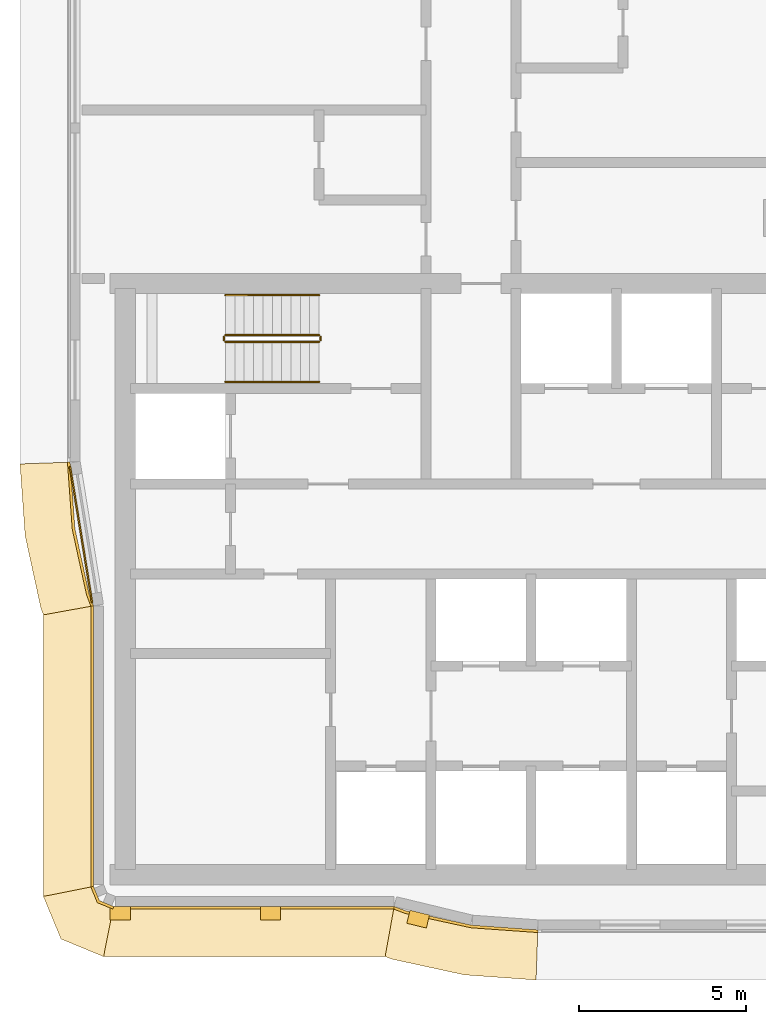
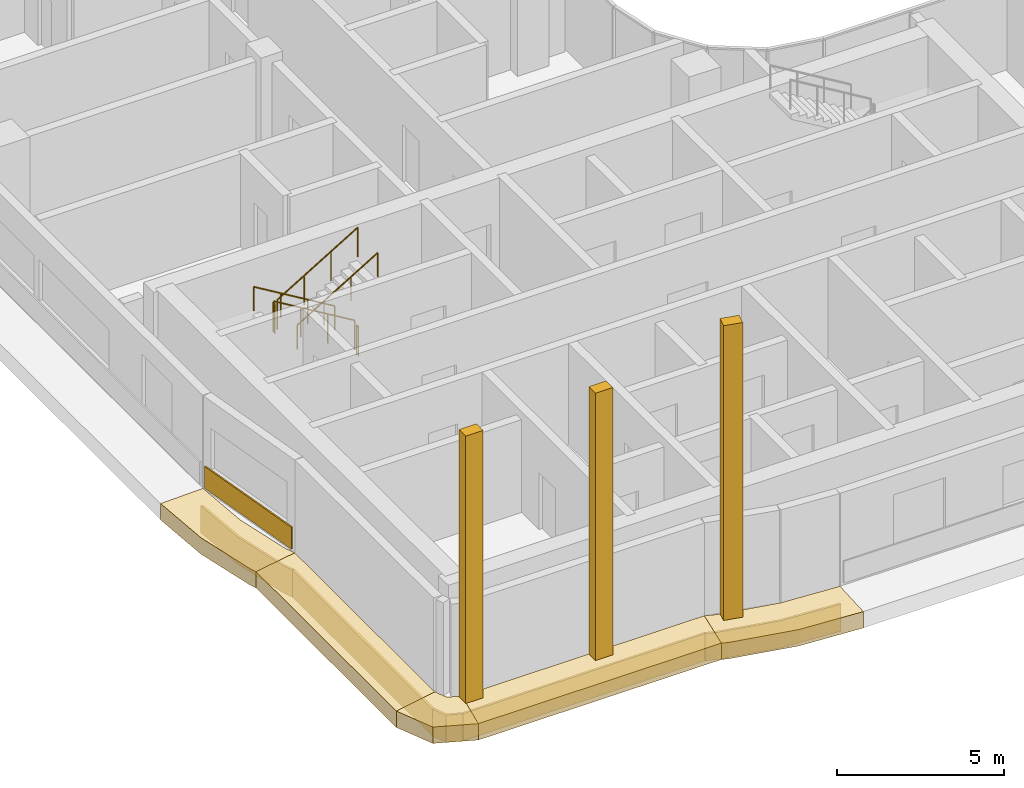
# One storey, part 17 of 24: 14 coverings, 6 railings.
"""IFC4 building model written with IfcOpenShell, lengths in metres."""

from ifc_helpers import new_model, si_unit, direction, frame, origin, origin_2d, place, context, subcontext, project, spatial, polyline, rectangle, circle, outline, extrude, material, layer, layer_set, type_object, element, save


model = new_model("IFC4")

# Units and contexts
model_context = context("Model", 3, precision=1e-05, world=origin(), true_north=direction((0.0, 1.0)))
body_context = subcontext(model_context, "Body", "Model", "MODEL_VIEW")
ifc_project = project(units=[si_unit("LENGTHUNIT", "METRE"), si_unit("AREAUNIT", "SQUARE_METRE"), si_unit("VOLUMEUNIT", "CUBIC_METRE"), si_unit("PLANEANGLEUNIT", "RADIAN"), si_unit("MASSUNIT", "GRAM", prefix="KILO")], contexts=[model_context])

# Site, building, storey
site_placement = place(None, origin())
site = spatial("IfcSite", under=ifc_project, at=site_placement, CompositionType="ELEMENT")
building_placement = place(site_placement, origin())
building = spatial("IfcBuilding", under=site, at=building_placement, Name="Ogive Portal Towers", CompositionType="ELEMENT")
storey_placement = place(building_placement, frame((0.0, 0.0, 142.199951171875)))
storey = spatial("IfcBuildingStorey", under=building, at=storey_placement, Name="L34", CompositionType="ELEMENT", Elevation=142.199951171875)

# Railings
ifc_material_1 = material(Name="Stainless steel balustrade", Category="steel")
railing_type_1 = type_object("IfcRailingType", Name="INT-GUARD", PredefinedType="GUARDRAIL", material=ifc_material_1)
railing_1_placement = place(storey_placement, frame((37.449951171875, 37.800048828125, 0.168212890625)))
element("IfcRailing", 1, at=railing_1_placement, inside=storey, type_object=railing_type_1, Name="L34 ST-A1 stair guard 1", PredefinedType="GUARDRAIL", context=body_context, shape_type="SweptSolid", body=[
    extrude(circle(Radius=0.02392578125, at=origin_2d()), frame((0.0, 0.0, 1.076171875), z_axis=(-0.857242210791, 0.0, 0.514913383045), x_axis=(0.0, -1.0, 0.0)), (0.0, 0.0, 1.0), 3.266357421875),
    extrude(circle(Radius=0.02099609375, at=origin_2d()), origin(), (0.0, 0.0, 1.0), 1.052001953125),
    extrude(circle(Radius=0.02099609375, at=origin_2d()), frame((-0.933349609375, 0.0, 0.560546875)), (0.0, 0.0, 1.0), 1.052001953125),
    extrude(circle(Radius=0.02099609375, at=origin_2d()), frame((-1.86669921875, 0.0, 1.121337890625)), (0.0, 0.0, 1.0), 1.052001953125),
    extrude(circle(Radius=0.02099609375, at=origin_2d()), frame((-2.800048828125, 0.0, 1.681884765625)), (0.0, 0.0, 1.0), 1.052001953125),
])
railing_2_placement = place(storey_placement, frame((34.60009765625, 37.75, 1.85009765625)))
element("IfcRailing", 2, at=railing_2_placement, inside=storey, type_object=railing_type_1, Name="L34 ST-A1 stair guard 2", PredefinedType="GUARDRAIL", context=body_context, shape_type="SweptSolid", body=[
    extrude(circle(Radius=0.02392578125, at=origin_2d()), frame((0.0, 0.0, 1.076171875), z_axis=(0.0, -1.0, 0.0), x_axis=(1.0, 0.0, 0.0)), (0.0, 0.0, 1.0), 0.10009765625),
    extrude(circle(Radius=0.02099609375, at=origin_2d()), origin(), (0.0, 0.0, 1.0), 1.052001953125),
    extrude(circle(Radius=0.02099609375, at=origin_2d()), frame((0.0, -0.10009765625, 0.0)), (0.0, 0.0, 1.0), 1.052001953125),
])
railing_3_placement = place(storey_placement, frame((34.64990234375, 37.60009765625, 2.018310546875)))
element("IfcRailing", 3, at=railing_3_placement, inside=storey, type_object=railing_type_1, Name="L34 ST-A1 stair guard 3", PredefinedType="GUARDRAIL", context=body_context, shape_type="SweptSolid", body=[
    extrude(circle(Radius=0.02392578125, at=origin_2d()), frame((0.0, 0.0, 1.076171875), z_axis=(0.857275202839, 0.0, 0.514858452973), x_axis=(0.0, 1.0, 0.0)), (0.0, 0.0, 1.0), 3.26611328125),
    extrude(circle(Radius=0.02099609375, at=origin_2d()), origin(), (0.0, 0.0, 1.0), 1.052001953125),
    extrude(circle(Radius=0.02099609375, at=origin_2d()), frame((0.933349609375, 0.0, 0.560546875)), (0.0, 0.0, 1.0), 1.052001953125),
    extrude(circle(Radius=0.02099609375, at=origin_2d()), frame((1.86669921875, 0.0, 1.12109375)), (0.0, 0.0, 1.0), 1.052001953125),
    extrude(circle(Radius=0.02099609375, at=origin_2d()), frame((2.800048828125, 0.0, 1.681640625)), (0.0, 0.0, 1.0), 1.052001953125),
])
railing_4_placement = place(storey_placement, frame((37.5, 37.75, 0.0)))
element("IfcRailing", 4, at=railing_4_placement, inside=storey, type_object=railing_type_1, Name="L34 ST-A1 stair guard 4", PredefinedType="GUARDRAIL", context=body_context, shape_type="SweptSolid", body=[
    extrude(circle(Radius=0.02392578125, at=origin_2d()), frame((0.0, 0.0, 1.076171875), z_axis=(0.0, -1.0, 0.0), x_axis=(1.0, 0.0, 0.0)), (0.0, 0.0, 1.0), 0.10009765625),
    extrude(circle(Radius=0.02099609375, at=origin_2d()), origin(), (0.0, 0.0, 1.0), 1.052001953125),
    extrude(circle(Radius=0.02099609375, at=origin_2d()), frame((0.0, -0.10009765625, 0.0)), (0.0, 0.0, 1.0), 1.052001953125),
])
ifc_material_2 = material(Name="Stainless steel handrail", Category="steel")
railing_type_2 = type_object("IfcRailingType", Name="INT-HANDRAIL", PredefinedType="HANDRAIL", material=ifc_material_2)
railing_5_placement = place(storey_placement, frame((37.449951171875, 39.0, 0.168212890625)))
element("IfcRailing", 5, at=railing_5_placement, inside=storey, type_object=railing_type_2, Name="L34 ST-A1 stair handrail 1", PredefinedType="HANDRAIL", context=body_context, shape_type="SweptSolid", body=[
    extrude(circle(Radius=0.02392578125, at=origin_2d()), frame((0.0, 0.0, 0.8759765625), z_axis=(-0.857242210791, 0.0, 0.514913383045), x_axis=(0.0, -1.0, 0.0)), (0.0, 0.0, 1.0), 3.266357421875),
    extrude(circle(Radius=0.02099609375, at=origin_2d()), origin(), (0.0, 0.0, 1.0), 0.851806640625),
    extrude(circle(Radius=0.02099609375, at=origin_2d()), frame((-0.933349609375, 0.0, 0.560546875)), (0.0, 0.0, 1.0), 0.851806640625),
    extrude(circle(Radius=0.02099609375, at=origin_2d()), frame((-1.86669921875, 0.0, 1.121337890625)), (0.0, 0.0, 1.0), 0.851806640625),
    extrude(circle(Radius=0.02099609375, at=origin_2d()), frame((-2.800048828125, 0.0, 1.681884765625)), (0.0, 0.0, 1.0), 0.851806640625),
])
railing_6_placement = place(storey_placement, frame((34.64990234375, 36.39990234375, 2.018310546875)))
element("IfcRailing", 6, at=railing_6_placement, inside=storey, type_object=railing_type_2, Name="L34 ST-A1 stair handrail 2", PredefinedType="HANDRAIL", context=body_context, shape_type="SweptSolid", body=[
    extrude(circle(Radius=0.02392578125, at=origin_2d()), frame((0.0, 0.0, 0.8759765625), z_axis=(0.857275202839, 0.0, 0.514858452973), x_axis=(0.0, 1.0, 0.0)), (0.0, 0.0, 1.0), 3.26611328125),
    extrude(circle(Radius=0.02099609375, at=origin_2d()), origin(), (0.0, 0.0, 1.0), 0.851806640625),
    extrude(circle(Radius=0.02099609375, at=origin_2d()), frame((0.933349609375, 0.0, 0.560546875)), (0.0, 0.0, 1.0), 0.851806640625),
    extrude(circle(Radius=0.02099609375, at=origin_2d()), frame((1.86669921875, 0.0, 1.12109375)), (0.0, 0.0, 1.0), 0.851806640625),
    extrude(circle(Radius=0.02099609375, at=origin_2d()), frame((2.800048828125, 0.0, 1.681640625)), (0.0, 0.0, 1.0), 0.851806640625),
])

# Coverings
ifc_material_3 = material(Name="Limestone cladding on lightweight block wall", Category="masonry")
ifc_layer_1 = layer(ifc_material_3, 0.050048828125)
ifc_layer_set_1 = layer_set([ifc_layer_1], Name="SCREEN PERFORATED STONE")
covering_type_1 = type_object("IfcCoveringType", Name="SCREEN PERFORATED STONE", PredefinedType="CLADDING", material=ifc_layer_set_1)
covering_1_placement = place(storey_placement, frame((30.327392578125, 31.833740234375, 0.10009765625), z_axis=(0.0, 0.0, 1.0), x_axis=(0.160654533408, -0.987010699484, 0.0)))
element("IfcCovering", 7, at=covering_1_placement, inside=storey, type_object=covering_type_1, Name="Tracery screen", PredefinedType="CLADDING", context=body_context, shape_type="SweptSolid", body=[
    extrude(rectangle(XDim=4.1328125, YDim=0.050048828125, at=origin_2d()), origin(), (0.0, 0.0, 1.0), 0.800048828125),
])
ifc_layer_2 = layer(ifc_material_3, 0.39990234375)
ifc_layer_set_2 = layer_set([ifc_layer_2], Name="SPINE PIER STONE")
covering_type_2 = type_object("IfcCoveringType", Name="SPINE PIER STONE", PredefinedType="CLADDING", material=ifc_layer_set_2)
for number, where, z_axis, x_axis, name in (
    (8, (31.5, 20.5, 0.0), (0.0, 0.0, 1.0), (1.0, 0.0, 0.0), "SPINE PIER"),
    (9, (36.0, 20.5, 0.0), (0.0, 0.0, 1.0), (1.0, 0.0, 0.0), "SPINE PIER"),
):
    element("IfcCovering", number, at=place(storey_placement, frame(where, z_axis=z_axis, x_axis=x_axis)), inside=storey, type_object=covering_type_2, Name=name, PredefinedType="CLADDING", context=body_context, shape_type="SweptSolid", body=[
        extrude(rectangle(XDim=0.60009765625, YDim=0.39990234375, at=origin_2d()), origin(), (0.0, 0.0, 1.0), 9.800048828125),
    ])
covering_2_placement = place(storey_placement, frame((40.417724609375, 20.32080078125, 0.0), z_axis=(0.0, 0.0, 1.0), x_axis=(0.972047938929, -0.234782461918, 0.0)))
element("IfcCovering", 10, at=covering_2_placement, inside=storey, type_object=covering_type_2, Name="SPINE PIER", PredefinedType="CLADDING", context=body_context, shape_type="SweptSolid", body=[
    extrude(rectangle(XDim=0.60009765625, YDim=0.39990234375, at=origin_2d()), origin(), (0.0, 0.0, 1.0), 10.800048828125),
])
ifc_layer_3 = layer(ifc_material_3, 0.080078125)
ifc_layer_set_3 = layer_set([ifc_layer_3], Name="STONE SPANDREL 80")
covering_type_3 = type_object("IfcCoveringType", Name="STONE SPANDREL 80", PredefinedType="CLADDING", material=ifc_layer_set_3)
covering_3_placement = place(storey_placement, frame((0.0, 0.0, -1.599853515625)))
element("IfcCovering", 11, at=covering_3_placement, inside=storey, type_object=covering_type_3, Name="Stone spandrel A1-F01", PredefinedType="CLADDING", context=body_context, shape_type="SweptSolid", body=[
    extrude(outline(polyline([(30.699951171875, 29.699462890625), (30.699951171875, 21.300048828125), (30.6201171875, 21.2841796875), (30.6201171875, 29.68505859375), (30.699951171875, 29.699462890625)])), origin(), (0.0, 0.0, 1.0), 1.0),
])
covering_4_placement = place(storey_placement, frame((0.0, 0.0, -1.599853515625)))
element("IfcCovering", 12, at=covering_4_placement, inside=storey, type_object=covering_type_3, Name="Stone spandrel A1-F02", PredefinedType="CLADDING", context=body_context, shape_type="SweptSolid", body=[
    extrude(outline(polyline([(30.699951171875, 21.300048828125), (30.875732421875, 20.875732421875), (31.300048828125, 20.699951171875), (31.2841796875, 20.6201171875), (30.814453125, 20.814453125), (30.6201171875, 21.2841796875), (30.699951171875, 21.300048828125)])), origin(), (0.0, 0.0, 1.0), 1.0),
])
covering_5_placement = place(storey_placement, frame((0.0, 0.0, -1.599853515625)))
element("IfcCovering", 13, at=covering_5_placement, inside=storey, type_object=covering_type_3, Name="Stone spandrel A1-F03", PredefinedType="CLADDING", context=body_context, shape_type="SweptSolid", body=[
    extrude(outline(polyline([(31.300048828125, 20.699951171875), (39.699462890625, 20.699951171875), (39.68505859375, 20.6201171875), (31.2841796875, 20.6201171875), (31.300048828125, 20.699951171875)])), origin(), (0.0, 0.0, 1.0), 1.0),
])
covering_6_placement = place(storey_placement, frame((0.0, 0.0, -1.599853515625)))
element("IfcCovering", 14, at=covering_6_placement, inside=storey, type_object=covering_type_3, Name="Stone spandrel A1-F04", PredefinedType="CLADDING", context=body_context, shape_type="SweptSolid", body=[
    extrude(outline(polyline([(39.699462890625, 20.699951171875), (40.0556640625, 20.567138671875), (42.007568359375, 20.142578125), (44.0, 20.0), (43.9970703125, 19.919921875), (41.99609375, 20.063232421875), (40.033203125, 20.490234375), (39.68505859375, 20.6201171875), (39.699462890625, 20.699951171875)])), origin(), (0.0, 0.0, 1.0), 1.0),
])
covering_7_placement = place(storey_placement, frame((0.0, 0.0, -1.599853515625)))
element("IfcCovering", 15, at=covering_7_placement, inside=storey, type_object=covering_type_3, Name="Stone spandrel A1-F14", PredefinedType="CLADDING", context=body_context, shape_type="SweptSolid", body=[
    extrude(outline(polyline([(30.0, 34.0), (30.142578125, 32.007568359375), (30.567138671875, 30.0556640625), (30.699951171875, 29.699462890625), (30.6201171875, 29.68505859375), (30.490234375, 30.033203125), (30.063232421875, 31.99609375), (29.919921875, 33.9970703125), (30.0, 34.0)])), origin(), (0.0, 0.0, 1.0), 1.0),
])
ifc_layer_4 = layer(ifc_material_3, 0.60009765625)
ifc_layer_set_4 = layer_set([ifc_layer_4], Name="SUNSHADE LIP 600")
covering_type_4 = type_object("IfcCoveringType", Name="SUNSHADE LIP 600", PredefinedType="CLADDING", material=ifc_layer_set_4)
covering_8_placement = place(storey_placement, frame((0.0, 0.0, -0.599853515625)))
element("IfcCovering", 16, at=covering_8_placement, inside=storey, type_object=covering_type_4, Name="Sunshade lip A1-F01", PredefinedType="CLADDING", context=body_context, shape_type="SweptSolid", body=[
    extrude(outline(polyline([(30.699951171875, 29.699462890625), (30.699951171875, 21.300048828125), (29.199951171875, 21.001708984375), (29.199951171875, 29.4287109375), (30.699951171875, 29.699462890625)])), origin(), (0.0, 0.0, 1.0), 0.599853515625),
])
covering_9_placement = place(storey_placement, frame((0.0, 0.0, -0.599853515625)))
element("IfcCovering", 17, at=covering_9_placement, inside=storey, type_object=covering_type_4, Name="Sunshade lip A1-F02", PredefinedType="CLADDING", context=body_context, shape_type="SweptSolid", body=[
    extrude(outline(polyline([(30.699951171875, 21.300048828125), (30.875732421875, 20.875732421875), (31.300048828125, 20.699951171875), (31.001708984375, 19.199951171875), (29.727783203125, 19.727783203125), (29.199951171875, 21.001708984375), (30.699951171875, 21.300048828125)])), origin(), (0.0, 0.0, 1.0), 0.599853515625),
])
covering_10_placement = place(storey_placement, frame((0.0, 0.0, -0.599853515625)))
element("IfcCovering", 18, at=covering_10_placement, inside=storey, type_object=covering_type_4, Name="Sunshade lip A1-F03", PredefinedType="CLADDING", context=body_context, shape_type="SweptSolid", body=[
    extrude(outline(polyline([(31.300048828125, 20.699951171875), (39.699462890625, 20.699951171875), (39.4287109375, 19.199951171875), (31.001708984375, 19.199951171875), (31.300048828125, 20.699951171875)])), origin(), (0.0, 0.0, 1.0), 0.599853515625),
])
covering_11_placement = place(storey_placement, frame((0.0, 0.0, -0.599853515625)))
element("IfcCovering", 19, at=covering_11_placement, inside=storey, type_object=covering_type_4, Name="Sunshade lip A1-F04", PredefinedType="CLADDING", context=body_context, shape_type="SweptSolid", body=[
    extrude(outline(polyline([(39.699462890625, 20.699951171875), (40.0556640625, 20.567138671875), (42.007568359375, 20.142578125), (44.0, 20.0), (43.946533203125, 18.5), (41.79345703125, 18.654052734375), (39.632080078125, 19.124267578125), (39.4287109375, 19.199951171875), (39.699462890625, 20.699951171875)])), origin(), (0.0, 0.0, 1.0), 0.599853515625),
])
covering_12_placement = place(storey_placement, frame((0.0, 0.0, -0.599853515625)))
element("IfcCovering", 20, at=covering_12_placement, inside=storey, type_object=covering_type_4, Name="Sunshade lip A1-F14", PredefinedType="CLADDING", context=body_context, shape_type="SweptSolid", body=[
    extrude(outline(polyline([(30.0, 34.0), (30.142578125, 32.007568359375), (30.567138671875, 30.0556640625), (30.699951171875, 29.699462890625), (29.199951171875, 29.4287109375), (29.124267578125, 29.632080078125), (28.654052734375, 31.79345703125), (28.5, 33.946533203125), (30.0, 34.0)])), origin(), (0.0, 0.0, 1.0), 0.599853515625),
])

save(model, "model.ifc")
